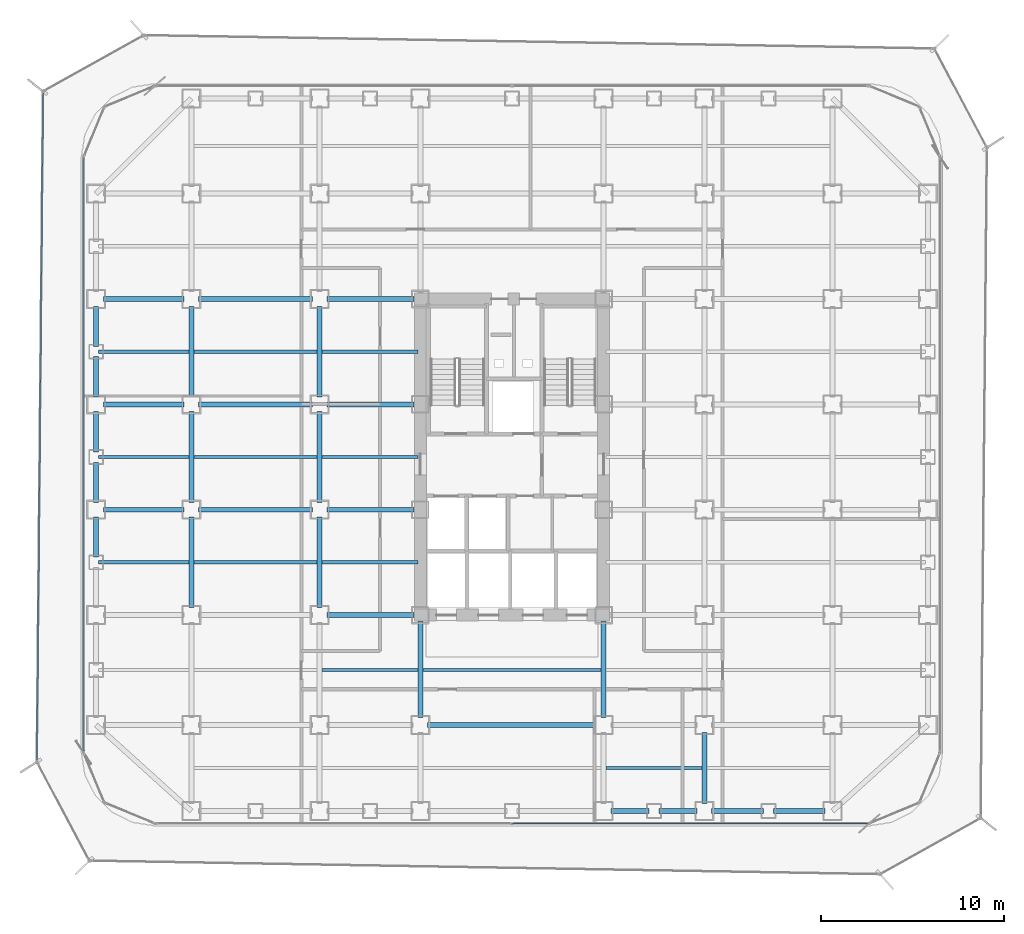
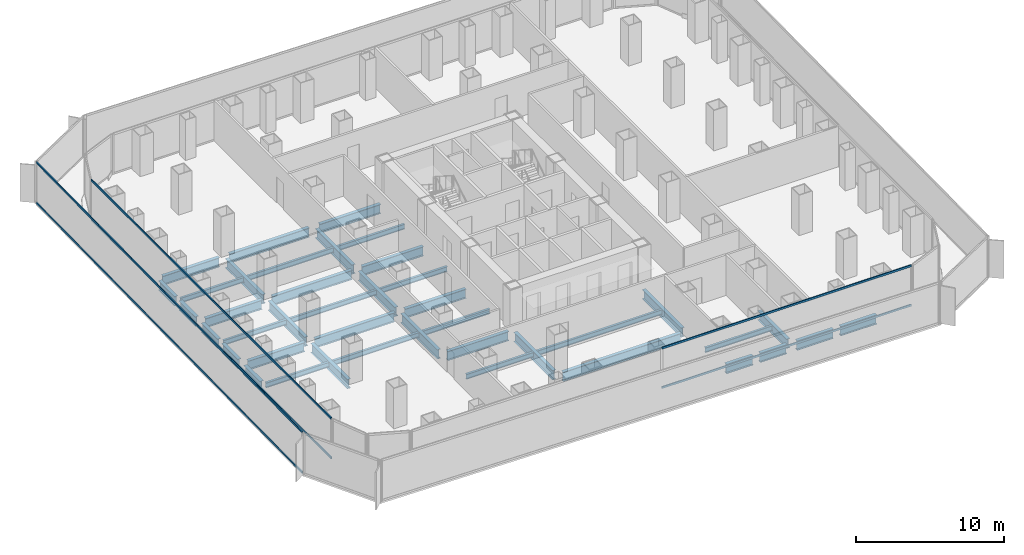
# One storey, part 5 of 21: 41 beams, 6 members, 3 elements without a shape of their own.
"""IFC4 building model written with IfcOpenShell, lengths in metres."""

from ifc_helpers import new_model, si_unit, direction, frame, origin, origin_2d, place, context, subcontext, project, spatial, hollow_rectangle, i_section, extrude, source, transform, mapped, material, layer, layer_set, material_profile, profile_set, type_object, element, aggregate, save


model = new_model("IFC4")

# Units and contexts
model_context = context("Model", 3, precision=1e-05, world=origin(), true_north=direction((0.0, 1.0)))
body_context = subcontext(model_context, "Body", "Model", "MODEL_VIEW")
ifc_project = project(units=[si_unit("LENGTHUNIT", "METRE"), si_unit("AREAUNIT", "SQUARE_METRE"), si_unit("VOLUMEUNIT", "CUBIC_METRE"), si_unit("PLANEANGLEUNIT", "RADIAN"), si_unit("MASSUNIT", "GRAM", prefix="KILO")], contexts=[model_context])

# Site, building, storey
site_placement = place(None, origin())
site = spatial("IfcSite", under=ifc_project, at=site_placement, CompositionType="ELEMENT")
building_placement = place(site_placement, origin())
building = spatial("IfcBuilding", under=site, at=building_placement, Name="Kolveth Station Tower", CompositionType="ELEMENT")
storey_placement = place(building_placement, frame((0.0, 0.0, 58.5)))
storey = spatial("IfcBuildingStorey", under=building, at=storey_placement, Name="L15", CompositionType="ELEMENT", Elevation=58.5)

# Beams
ifc_material_1 = material(Name="Steel S355", Category="steel")
ifc_material_profile_1 = material_profile(ifc_material_1, i_section(OverallWidth=0.26904296875, OverallDepth=0.77490234375, WebThickness=0.01708984375, FlangeThickness=0.0283203125, at=origin_2d()), Name="W760x220")
ifc_profile_set_1 = profile_set([ifc_material_profile_1], Name="Steel S355")
beam_type_1 = type_object("IfcBeamType", Name="Beam_SP1", PredefinedType="SPANDREL", material=ifc_profile_set_1)
shared_shape_1 = source(origin(), body_context, "Body", "SweptSolid", [
    extrude(i_section(OverallWidth=0.26904296875, OverallDepth=0.77490234375, WebThickness=0.01708984375, FlangeThickness=0.0283203125, at=origin_2d()), origin(), (0.0, 0.0, 1.0), 2.820068359375),
])
for number, where, z_axis, x_axis, name in (
    (1, (34.39990234375, 0.800048828125, -0.66748046875), (1.0, 0.0, 0.0), (0.0, 1.0, 0.0), "L15 Perimeter Spandrel BM-L15-PS-9"),
    (2, (37.780029296875, 0.800048828125, -0.66748046875), (1.0, 0.0, 0.0), (0.0, 1.0, 0.0), "L15 Perimeter Spandrel BM-L15-PS-10"),
):
    element("IfcBeam", number, at=place(storey_placement, frame(where, z_axis=z_axis, x_axis=x_axis)), inside=storey, type_object=beam_type_1, Name=name, PredefinedType="SPANDREL", context=body_context, shape_type="MappedRepresentation", body=[
        mapped(shared_shape_1, transform((0.0, 0.0, 0.0), x_axis=(1.0, 0.0, 0.0), y_axis=(0.0, 1.0, 0.0), z_axis=(0.0, 0.0, 1.0), scale=1.0)),
    ])
shared_shape_2 = source(origin(), body_context, "Body", "SweptSolid", [
    extrude(i_section(OverallWidth=0.26904296875, OverallDepth=0.77490234375, WebThickness=0.01708984375, FlangeThickness=0.0283203125, at=origin_2d()), origin(), (0.0, 0.0, 1.0), 2.070068359375),
])
for number, where, z_axis, x_axis, name in (
    (3, (28.89990234375, 0.800048828125, -0.66748046875), (1.0, 0.0, 0.0), (0.0, 1.0, 0.0), "L15 Perimeter Spandrel BM-L15-PS-7"),
    (4, (31.530029296875, 0.800048828125, -0.66748046875), (1.0, 0.0, 0.0), (0.0, 1.0, 0.0), "L15 Perimeter Spandrel BM-L15-PS-8"),
):
    element("IfcBeam", number, at=place(storey_placement, frame(where, z_axis=z_axis, x_axis=x_axis)), inside=storey, type_object=beam_type_1, Name=name, PredefinedType="SPANDREL", context=body_context, shape_type="MappedRepresentation", body=[
        mapped(shared_shape_2, transform((0.0, 0.0, 0.0), x_axis=(1.0, 0.0, 0.0), y_axis=(0.0, 1.0, 0.0), z_axis=(0.0, 0.0, 1.0), scale=1.0)),
    ])
shared_shape_3 = source(origin(), body_context, "Body", "SweptSolid", [
    extrude(i_section(OverallWidth=0.26904296875, OverallDepth=0.77490234375, WebThickness=0.01708984375, FlangeThickness=0.0283203125, at=origin_2d()), origin(), (0.0, 0.0, 1.0), 2.2001953125),
])
for number, where, z_axis, x_axis, name in (
    (5, (0.800048828125, 20.39990234375, -0.66748046875), (0.0, 1.0, 0.0), (-1.0, 0.0, 0.0), "L15 Perimeter Spandrel BM-L15-PW-6"),
    (6, (0.800048828125, 23.39990234375, -0.66748046875), (0.0, 1.0, 0.0), (-1.0, 0.0, 0.0), "L15 Perimeter Spandrel BM-L15-PW-7"),
):
    element("IfcBeam", number, at=place(storey_placement, frame(where, z_axis=z_axis, x_axis=x_axis)), inside=storey, type_object=beam_type_1, Name=name, PredefinedType="SPANDREL", context=body_context, shape_type="MappedRepresentation", body=[
        mapped(shared_shape_3, transform((0.0, 0.0, 0.0), x_axis=(1.0, 0.0, 0.0), y_axis=(0.0, 1.0, 0.0), z_axis=(0.0, 0.0, 1.0), scale=1.0)),
    ])
shared_shape_4 = source(origin(), body_context, "Body", "SweptSolid", [
    extrude(i_section(OverallWidth=0.26904296875, OverallDepth=0.77490234375, WebThickness=0.01708984375, FlangeThickness=0.0283203125, at=origin_2d()), origin(), (0.0, 0.0, 1.0), 2.190185546875),
])
for number, where, z_axis, x_axis, name in (
    (7, (0.800048828125, 14.659912109375, -0.66748046875), (0.0, 1.0, 0.0), (-1.0, 0.0, 0.0), "L15 Perimeter Spandrel BM-L15-PW-4"),
    (8, (0.800048828125, 17.64990234375, -0.66748046875), (0.0, 1.0, 0.0), (-1.0, 0.0, 0.0), "L15 Perimeter Spandrel BM-L15-PW-5"),
    (9, (0.800048828125, 26.159912109375, -0.66748046875), (0.0, 1.0, 0.0), (-1.0, 0.0, 0.0), "L15 Perimeter Spandrel BM-L15-PW-8"),
):
    element("IfcBeam", number, at=place(storey_placement, frame(where, z_axis=z_axis, x_axis=x_axis)), inside=storey, type_object=beam_type_1, Name=name, PredefinedType="SPANDREL", context=body_context, shape_type="MappedRepresentation", body=[
        mapped(shared_shape_4, transform((0.0, 0.0, 0.0), x_axis=(1.0, 0.0, 0.0), y_axis=(0.0, 1.0, 0.0), z_axis=(0.0, 0.0, 1.0), scale=1.0)),
    ])
ifc_material_profile_2 = material_profile(ifc_material_1, i_section(OverallWidth=0.26708984375, OverallDepth=0.76611328125, WebThickness=0.014892578125, FlangeThickness=0.023681640625, at=origin_2d()), Name="W760x185")
ifc_profile_set_2 = profile_set([ifc_material_profile_2], Name="Steel S355")
beam_type_2 = type_object("IfcBeamType", Name="Beam_B3", PredefinedType="BEAM", material=ifc_profile_set_2)
shared_shape_5 = source(origin(), body_context, "Body", "SweptSolid", [
    extrude(i_section(OverallWidth=0.26708984375, OverallDepth=0.76611328125, WebThickness=0.014892578125, FlangeThickness=0.023681640625, at=origin_2d()), origin(), (0.0, 0.0, 1.0), 4.400146484375),
])
for number, where, z_axis, x_axis, name in (
    (10, (1.199951171875, 17.25, -0.6630859375), (1.0, 0.0, 0.0), (0.0, 1.0, 0.0), "L15 Primary Girder BM-L15-GY172-1"),
    (11, (1.199951171875, 23.0, -0.6630859375), (1.0, 0.0, 0.0), (0.0, 1.0, 0.0), "L15 Primary Girder BM-L15-GY230-1"),
    (12, (1.199951171875, 28.75, -0.6630859375), (1.0, 0.0, 0.0), (0.0, 1.0, 0.0), "L15 Primary Girder BM-L15-GY287-1"),
):
    element("IfcBeam", number, at=place(storey_placement, frame(where, z_axis=z_axis, x_axis=x_axis)), inside=storey, type_object=beam_type_2, Name=name, PredefinedType="BEAM", context=body_context, shape_type="MappedRepresentation", body=[
        mapped(shared_shape_5, transform((0.0, 0.0, 0.0), x_axis=(1.0, 0.0, 0.0), y_axis=(0.0, 1.0, 0.0), z_axis=(0.0, 0.0, 1.0), scale=1.0)),
    ])
shared_shape_6 = source(origin(), body_context, "Body", "SweptSolid", [
    extrude(i_section(OverallWidth=0.26708984375, OverallDepth=0.76611328125, WebThickness=0.014892578125, FlangeThickness=0.023681640625, at=origin_2d()), origin(), (0.0, 0.0, 1.0), 6.2001953125),
])
for number, where, z_axis, x_axis, name in (
    (13, (6.39990234375, 17.25, -0.6630859375), (1.0, 0.0, 0.0), (0.0, 1.0, 0.0), "L15 Primary Girder BM-L15-GY172-2"),
    (14, (6.39990234375, 23.0, -0.6630859375), (1.0, 0.0, 0.0), (0.0, 1.0, 0.0), "L15 Primary Girder BM-L15-GY230-2"),
    (15, (6.39990234375, 28.75, -0.6630859375), (1.0, 0.0, 0.0), (0.0, 1.0, 0.0), "L15 Primary Girder BM-L15-GY287-2"),
):
    element("IfcBeam", number, at=place(storey_placement, frame(where, z_axis=z_axis, x_axis=x_axis)), inside=storey, type_object=beam_type_2, Name=name, PredefinedType="BEAM", context=body_context, shape_type="MappedRepresentation", body=[
        mapped(shared_shape_6, transform((0.0, 0.0, 0.0), x_axis=(1.0, 0.0, 0.0), y_axis=(0.0, 1.0, 0.0), z_axis=(0.0, 0.0, 1.0), scale=1.0)),
    ])
shared_shape_7 = source(origin(), body_context, "Body", "SweptSolid", [
    extrude(i_section(OverallWidth=0.26708984375, OverallDepth=0.76611328125, WebThickness=0.014892578125, FlangeThickness=0.023681640625, at=origin_2d()), origin(), (0.0, 0.0, 1.0), 9.2001953125),
])
beam_1_placement = place(storey_placement, frame((18.89990234375, 5.5, -0.6630859375), z_axis=(1.0, 0.0, 0.0), x_axis=(0.0, 1.0, 0.0)))
element("IfcBeam", 16, at=beam_1_placement, inside=storey, type_object=beam_type_2, Name="L15 Primary Girder BM-L15-GY55-4", PredefinedType="BEAM", context=body_context, shape_type="MappedRepresentation", body=[
    mapped(shared_shape_7, transform((0.0, 0.0, 0.0), x_axis=(1.0, 0.0, 0.0), y_axis=(0.0, 1.0, 0.0), z_axis=(0.0, 0.0, 1.0), scale=1.0)),
])
shared_shape_8 = source(origin(), body_context, "Body", "SweptSolid", [
    extrude(i_section(OverallWidth=0.26708984375, OverallDepth=0.76611328125, WebThickness=0.014892578125, FlangeThickness=0.023681640625, at=origin_2d()), origin(), (0.0, 0.0, 1.0), 4.739990234375),
])
for number, where, z_axis, x_axis, name in (
    (17, (13.39990234375, 11.5, -0.6630859375), (1.0, 0.0, 0.0), (0.0, 1.0, 0.0), "L15 Primary Girder BM-L15-GY115-3"),
    (18, (13.39990234375, 17.25, -0.6630859375), (1.0, 0.0, 0.0), (0.0, 1.0, 0.0), "L15 Primary Girder BM-L15-GY172-3"),
    (19, (13.39990234375, 23.0, -0.6630859375), (1.0, 0.0, 0.0), (0.0, 1.0, 0.0), "L15 Primary Girder BM-L15-GY230-3"),
    (20, (13.39990234375, 28.75, -0.6630859375), (1.0, 0.0, 0.0), (0.0, 1.0, 0.0), "L15 Primary Girder BM-L15-GY287-3"),
):
    element("IfcBeam", number, at=place(storey_placement, frame(where, z_axis=z_axis, x_axis=x_axis)), inside=storey, type_object=beam_type_2, Name=name, PredefinedType="BEAM", context=body_context, shape_type="MappedRepresentation", body=[
        mapped(shared_shape_8, transform((0.0, 0.0, 0.0), x_axis=(1.0, 0.0, 0.0), y_axis=(0.0, 1.0, 0.0), z_axis=(0.0, 0.0, 1.0), scale=1.0)),
    ])
shared_shape_9 = source(origin(), body_context, "Body", "SweptSolid", [
    extrude(i_section(OverallWidth=0.26708984375, OverallDepth=0.76611328125, WebThickness=0.014892578125, FlangeThickness=0.023681640625, at=origin_2d()), origin(), (0.0, 0.0, 1.0), 3.900146484375),
])
beam_2_placement = place(storey_placement, frame((34.0, 1.199951171875, -0.6630859375), z_axis=(0.0, 1.0, 0.0), x_axis=(-1.0, 0.0, 0.0)))
element("IfcBeam", 21, at=beam_2_placement, inside=storey, type_object=beam_type_2, Name="L15 Primary Girder BM-L15-GX340-1", PredefinedType="BEAM", context=body_context, shape_type="MappedRepresentation", body=[
    mapped(shared_shape_9, transform((0.0, 0.0, 0.0), x_axis=(1.0, 0.0, 0.0), y_axis=(0.0, 1.0, 0.0), z_axis=(0.0, 0.0, 1.0), scale=1.0)),
])
shared_shape_10 = source(origin(), body_context, "Body", "SweptSolid", [
    extrude(i_section(OverallWidth=0.26708984375, OverallDepth=0.76611328125, WebThickness=0.014892578125, FlangeThickness=0.023681640625, at=origin_2d()), origin(), (0.0, 0.0, 1.0), 4.9501953125),
])
for number, where, z_axis, x_axis, name in (
    (22, (6.0, 11.89990234375, -0.6630859375), (0.0, 1.0, 0.0), (-1.0, 0.0, 0.0), "L15 Primary Girder BM-L15-GX60-3"),
    (23, (6.0, 17.64990234375, -0.6630859375), (0.0, 1.0, 0.0), (-1.0, 0.0, 0.0), "L15 Primary Girder BM-L15-GX60-4"),
    (24, (6.0, 23.39990234375, -0.6630859375), (0.0, 1.0, 0.0), (-1.0, 0.0, 0.0), "L15 Primary Girder BM-L15-GX60-5"),
    (25, (13.0, 11.89990234375, -0.6630859375), (0.0, 1.0, 0.0), (-1.0, 0.0, 0.0), "L15 Primary Girder BM-L15-GX130-3"),
    (26, (13.0, 17.64990234375, -0.6630859375), (0.0, 1.0, 0.0), (-1.0, 0.0, 0.0), "L15 Primary Girder BM-L15-GX130-4"),
    (27, (13.0, 23.39990234375, -0.6630859375), (0.0, 1.0, 0.0), (-1.0, 0.0, 0.0), "L15 Primary Girder BM-L15-GX130-5"),
):
    element("IfcBeam", number, at=place(storey_placement, frame(where, z_axis=z_axis, x_axis=x_axis)), inside=storey, type_object=beam_type_2, Name=name, PredefinedType="BEAM", context=body_context, shape_type="MappedRepresentation", body=[
        mapped(shared_shape_10, transform((0.0, 0.0, 0.0), x_axis=(1.0, 0.0, 0.0), y_axis=(0.0, 1.0, 0.0), z_axis=(0.0, 0.0, 1.0), scale=1.0)),
    ])
shared_shape_11 = source(origin(), body_context, "Body", "SweptSolid", [
    extrude(i_section(OverallWidth=0.26708984375, OverallDepth=0.76611328125, WebThickness=0.014892578125, FlangeThickness=0.023681640625, at=origin_2d()), origin(), (0.0, 0.0, 1.0), 5.239990234375),
])
for number, where, z_axis, x_axis, name in (
    (28, (18.5, 5.89990234375, -0.6630859375), (0.0, 1.0, 0.0), (-1.0, 0.0, 0.0), "L15 Primary Girder BM-L15-GX185-2"),
    (29, (28.5, 5.89990234375, -0.6630859375), (0.0, 1.0, 0.0), (-1.0, 0.0, 0.0), "L15 Primary Girder BM-L15-GX285-2"),
):
    element("IfcBeam", number, at=place(storey_placement, frame(where, z_axis=z_axis, x_axis=x_axis)), inside=storey, type_object=beam_type_2, Name=name, PredefinedType="BEAM", context=body_context, shape_type="MappedRepresentation", body=[
        mapped(shared_shape_11, transform((0.0, 0.0, 0.0), x_axis=(1.0, 0.0, 0.0), y_axis=(0.0, 1.0, 0.0), z_axis=(0.0, 0.0, 1.0), scale=1.0)),
    ])
ifc_material_profile_3 = material_profile(ifc_material_1, i_section(OverallWidth=0.177978515625, OverallDepth=0.406982421875, WebThickness=0.0078125, FlangeThickness=0.0126953125, at=origin_2d()), Name="W410x60")
ifc_profile_set_3 = profile_set([ifc_material_profile_3], Name="Steel S355")
beam_type_3 = type_object("IfcBeamType", Name="Beam_J1", PredefinedType="JOIST", material=ifc_profile_set_3)
shared_shape_12 = source(origin(), body_context, "Body", "SweptSolid", [
    extrude(i_section(OverallWidth=0.177978515625, OverallDepth=0.406982421875, WebThickness=0.0078125, FlangeThickness=0.0126953125, at=origin_2d()), origin(), (0.0, 0.0, 1.0), 4.935791015625),
])
for number, where, z_axis, x_axis, name in (
    (30, (0.9326171875, 14.375, -0.4833984375), (1.0, 0.0, 0.0), (0.0, 1.0, 0.0), "L15 Secondary Joist JST-L15-1-3"),
    (31, (0.9326171875, 20.125, -0.4833984375), (1.0, 0.0, 0.0), (0.0, 1.0, 0.0), "L15 Secondary Joist JST-L15-1-4"),
    (32, (0.9326171875, 25.875, -0.4833984375), (1.0, 0.0, 0.0), (0.0, 1.0, 0.0), "L15 Secondary Joist JST-L15-1-5"),
):
    element("IfcBeam", number, at=place(storey_placement, frame(where, z_axis=z_axis, x_axis=x_axis)), inside=storey, type_object=beam_type_3, Name=name, PredefinedType="JOIST", context=body_context, shape_type="MappedRepresentation", body=[
        mapped(shared_shape_12, transform((0.0, 0.0, 0.0), x_axis=(1.0, 0.0, 0.0), y_axis=(0.0, 1.0, 0.0), z_axis=(0.0, 0.0, 1.0), scale=1.0)),
    ])
shared_shape_13 = source(origin(), body_context, "Body", "SweptSolid", [
    extrude(i_section(OverallWidth=0.177978515625, OverallDepth=0.406982421875, WebThickness=0.0078125, FlangeThickness=0.0126953125, at=origin_2d()), origin(), (0.0, 0.0, 1.0), 6.73681640625),
])
for number, where, z_axis, x_axis, name in (
    (33, (6.131591796875, 14.375, -0.4833984375), (1.0, 0.0, 0.0), (0.0, 1.0, 0.0), "L15 Secondary Joist JST-L15-2-3"),
    (34, (6.131591796875, 20.125, -0.4833984375), (1.0, 0.0, 0.0), (0.0, 1.0, 0.0), "L15 Secondary Joist JST-L15-2-4"),
    (35, (6.131591796875, 25.875, -0.4833984375), (1.0, 0.0, 0.0), (0.0, 1.0, 0.0), "L15 Secondary Joist JST-L15-2-5"),
):
    element("IfcBeam", number, at=place(storey_placement, frame(where, z_axis=z_axis, x_axis=x_axis)), inside=storey, type_object=beam_type_3, Name=name, PredefinedType="JOIST", context=body_context, shape_type="MappedRepresentation", body=[
        mapped(shared_shape_13, transform((0.0, 0.0, 0.0), x_axis=(1.0, 0.0, 0.0), y_axis=(0.0, 1.0, 0.0), z_axis=(0.0, 0.0, 1.0), scale=1.0)),
    ])
shared_shape_14 = source(origin(), body_context, "Body", "SweptSolid", [
    extrude(i_section(OverallWidth=0.177978515625, OverallDepth=0.406982421875, WebThickness=0.0078125, FlangeThickness=0.0126953125, at=origin_2d()), origin(), (0.0, 0.0, 1.0), 5.23681640625),
])
for number, where, z_axis, x_axis, name in (
    (36, (13.131591796875, 8.5, -0.4833984375), (1.0, 0.0, 0.0), (0.0, 1.0, 0.0), "L15 Secondary Joist JST-L15-3-2"),
    (37, (13.131591796875, 14.375, -0.4833984375), (1.0, 0.0, 0.0), (0.0, 1.0, 0.0), "L15 Secondary Joist JST-L15-3-3"),
    (38, (13.131591796875, 20.125, -0.4833984375), (1.0, 0.0, 0.0), (0.0, 1.0, 0.0), "L15 Secondary Joist JST-L15-3-4"),
    (39, (13.131591796875, 25.875, -0.4833984375), (1.0, 0.0, 0.0), (0.0, 1.0, 0.0), "L15 Secondary Joist JST-L15-3-5"),
    (40, (28.631591796875, 3.14990234375, -0.4833984375), (1.0, 0.0, 0.0), (0.0, 1.0, 0.0), "L15 Secondary Joist JST-L15-5-1"),
):
    element("IfcBeam", number, at=place(storey_placement, frame(where, z_axis=z_axis, x_axis=x_axis)), inside=storey, type_object=beam_type_3, Name=name, PredefinedType="JOIST", context=body_context, shape_type="MappedRepresentation", body=[
        mapped(shared_shape_14, transform((0.0, 0.0, 0.0), x_axis=(1.0, 0.0, 0.0), y_axis=(0.0, 1.0, 0.0), z_axis=(0.0, 0.0, 1.0), scale=1.0)),
    ])
shared_shape_15 = source(origin(), body_context, "Body", "SweptSolid", [
    extrude(i_section(OverallWidth=0.177978515625, OverallDepth=0.406982421875, WebThickness=0.0078125, FlangeThickness=0.0126953125, at=origin_2d()), origin(), (0.0, 0.0, 1.0), 9.73681640625),
])
beam_3_placement = place(storey_placement, frame((18.631591796875, 8.5, -0.4833984375), z_axis=(1.0, 0.0, 0.0), x_axis=(0.0, 1.0, 0.0)))
element("IfcBeam", 41, at=beam_3_placement, inside=storey, type_object=beam_type_3, Name="L15 Secondary Joist JST-L15-4-2", PredefinedType="JOIST", context=body_context, shape_type="MappedRepresentation", body=[
    mapped(shared_shape_15, transform((0.0, 0.0, 0.0), x_axis=(1.0, 0.0, 0.0), y_axis=(0.0, 1.0, 0.0), z_axis=(0.0, 0.0, 1.0), scale=1.0)),
])

# Curtain wall, members
ifc_material_2 = material(Name="Aluminium 6063-T6 and low-E dark glass", Category="aluminium")
ifc_layer_1 = layer(ifc_material_2, 0.179931640625)
ifc_layer_set_1 = layer_set([ifc_layer_1], Name="Aluminium 6063-T6 and low-E dark glass")
curtain_wall_type_1 = type_object("IfcCurtainWallType", Name="CurtainWall_CW-Z1", PredefinedType="NOTDEFINED", material=ifc_layer_set_1)
curtain_wall_1_placement = place(storey_placement, origin())
curtain_wall_1 = element("IfcCurtainWall", 42, at=curtain_wall_1_placement, inside=storey, type_object=curtain_wall_type_1, Name="L15 Inner Thermal Curtain Wall 9", PredefinedType="NOTDEFINED")
ifc_material_3 = material(Name="Black anodized aluminium 6063-T6", Category="aluminium")
ifc_material_profile_4 = material_profile(ifc_material_3, hollow_rectangle(XDim=0.074951171875, YDim=0.159912109375, WallThickness=0.0048828125, at=origin_2d()), Name="ALU-75x160x5")
ifc_profile_set_4 = profile_set([ifc_material_profile_4], Name="Black anodized aluminium 6063-T6")
member_type_1 = type_object("IfcMemberType", Name="Transom_TR1", PredefinedType="USERDEFINED", material=ifc_profile_set_4)
shared_shape_16 = source(origin(), body_context, "Body", "SweptSolid", [
    extrude(hollow_rectangle(XDim=0.074951171875, YDim=0.159912109375, WallThickness=0.0048828125, at=origin_2d()), origin(), (0.0, 0.0, 1.0), 32.35009765625),
])
member_1_placement = place(storey_placement, frame((0.1201171875, 36.425048828125, 0.03759765625), z_axis=(0.0, -1.0, 0.0), x_axis=(1.0, 0.0, 0.0)))
member_1 = element("IfcMember", 43, at=member_1_placement, type_object=member_type_1, Name="CW-Z1 transom 1.1", ObjectType="TRANSOM", PredefinedType="USERDEFINED", context=body_context, shape_type="MappedRepresentation", body=[
    mapped(shared_shape_16, transform((0.0, 0.0, 0.0), x_axis=(1.0, 0.0, 0.0), y_axis=(0.0, 1.0, 0.0), z_axis=(0.0, 0.0, 1.0), scale=1.0)),
])
member_2_placement = place(storey_placement, frame((0.1201171875, 36.425048828125, 3.282470703125), z_axis=(0.0, -1.0, 0.0), x_axis=(1.0, 0.0, 0.0)))
member_2 = element("IfcMember", 44, at=member_2_placement, type_object=member_type_1, Name="CW-Z1 transom 1.2", ObjectType="TRANSOM", PredefinedType="USERDEFINED", context=body_context, shape_type="MappedRepresentation", body=[
    mapped(shared_shape_16, transform((0.0, 0.0, 0.0), x_axis=(1.0, 0.0, 0.0), y_axis=(0.0, 1.0, 0.0), z_axis=(0.0, 0.0, 1.0), scale=1.0)),
])
aggregate(curtain_wall_1, [member_1, member_2])

curtain_wall_2_placement = place(storey_placement, origin())
curtain_wall_2 = element("IfcCurtainWall", 45, at=curtain_wall_2_placement, inside=storey, type_object=curtain_wall_type_1, Name="L15 Inner Thermal Curtain Wall 12", PredefinedType="NOTDEFINED")
shared_shape_17 = source(origin(), body_context, "Body", "SweptSolid", [
    extrude(hollow_rectangle(XDim=0.074951171875, YDim=0.159912109375, WallThickness=0.0048828125, at=origin_2d()), origin(), (0.0, 0.0, 1.0), 19.387451171875),
])
member_3_placement = place(storey_placement, frame((23.53759765625, 0.1201171875, 0.03759765625), z_axis=(1.0, 0.0, 0.0), x_axis=(0.0, 1.0, 0.0)))
member_3 = element("IfcMember", 46, at=member_3_placement, type_object=member_type_1, Name="CW-Z1 transom 2.1", ObjectType="TRANSOM", PredefinedType="USERDEFINED", context=body_context, shape_type="MappedRepresentation", body=[
    mapped(shared_shape_17, transform((0.0, 0.0, 0.0), x_axis=(1.0, 0.0, 0.0), y_axis=(0.0, 1.0, 0.0), z_axis=(0.0, 0.0, 1.0), scale=1.0)),
])
member_4_placement = place(storey_placement, frame((23.53759765625, 0.1201171875, 3.282470703125), z_axis=(1.0, 0.0, 0.0), x_axis=(0.0, 1.0, 0.0)))
member_4 = element("IfcMember", 47, at=member_4_placement, type_object=member_type_1, Name="CW-Z1 transom 2.2", ObjectType="TRANSOM", PredefinedType="USERDEFINED", context=body_context, shape_type="MappedRepresentation", body=[
    mapped(shared_shape_17, transform((0.0, 0.0, 0.0), x_axis=(1.0, 0.0, 0.0), y_axis=(0.0, 1.0, 0.0), z_axis=(0.0, 0.0, 1.0), scale=1.0)),
])
aggregate(curtain_wall_2, [member_3, member_4])

ifc_material_4 = material(Name="Black anodized aluminium 6063-T6 and dark solar glass", Category="aluminium")
ifc_layer_2 = layer(ifc_material_4, 0.159912109375)
ifc_layer_set_2 = layer_set([ifc_layer_2], Name="Black anodized aluminium 6063-T6 and dark solar glass")
curtain_wall_type_2 = type_object("IfcCurtainWallType", Name="OUTER SKIN CW-OS", PredefinedType="NOTDEFINED", material=ifc_layer_set_2)
curtain_wall_3_placement = place(storey_placement, origin())
curtain_wall_3 = element("IfcCurtainWall", 48, at=curtain_wall_3_placement, inside=storey, type_object=curtain_wall_type_2, Name="L15 Outer Ventilated Skin Curtain Wall 6", PredefinedType="NOTDEFINED")
ifc_material_profile_5 = material_profile(ifc_material_3, hollow_rectangle(XDim=0.080078125, YDim=0.14990234375, WallThickness=0.0048828125, at=origin_2d()), Name="ALU-80x150x5")
ifc_profile_set_5 = profile_set([ifc_material_profile_5], Name="Black anodized aluminium 6063-T6")
member_type_2 = type_object("IfcMemberType", Name="Transom_TR-OS", PredefinedType="USERDEFINED", material=ifc_profile_set_5)
shared_shape_18 = source(origin(), body_context, "Body", "SweptSolid", [
    extrude(hollow_rectangle(XDim=0.080078125, YDim=0.14990234375, WallThickness=0.0048828125, at=origin_2d()), origin(), (0.0, 0.0, 1.0), 36.421142578125),
])
member_5_placement = place(storey_placement, frame((-2.089599609375, 39.99560546875, 0.0400390625), z_axis=(-0.009250484025, -0.999957213357, 0.0), x_axis=(0.999957213357, -0.009250484025, 0.0)))
member_5 = element("IfcMember", 49, at=member_5_placement, type_object=member_type_2, Name="CW-OS transom 1.1", ObjectType="TRANSOM", PredefinedType="USERDEFINED", context=body_context, shape_type="MappedRepresentation", body=[
    mapped(shared_shape_18, transform((0.0, 0.0, 0.0), x_axis=(1.0, 0.0, 0.0), y_axis=(0.0, 1.0, 0.0), z_axis=(0.0, 0.0, 1.0), scale=1.0)),
])
member_6_placement = place(storey_placement, frame((-2.089599609375, 39.99560546875, 3.35009765625), z_axis=(-0.009250484025, -0.999957213357, 0.0), x_axis=(0.999957213357, -0.009250484025, 0.0)))
member_6 = element("IfcMember", 50, at=member_6_placement, type_object=member_type_2, Name="CW-OS transom 1.2", ObjectType="TRANSOM", PredefinedType="USERDEFINED", context=body_context, shape_type="MappedRepresentation", body=[
    mapped(shared_shape_18, transform((0.0, 0.0, 0.0), x_axis=(1.0, 0.0, 0.0), y_axis=(0.0, 1.0, 0.0), z_axis=(0.0, 0.0, 1.0), scale=1.0)),
])
aggregate(curtain_wall_3, [member_5, member_6])

save(model, "model.ifc")
